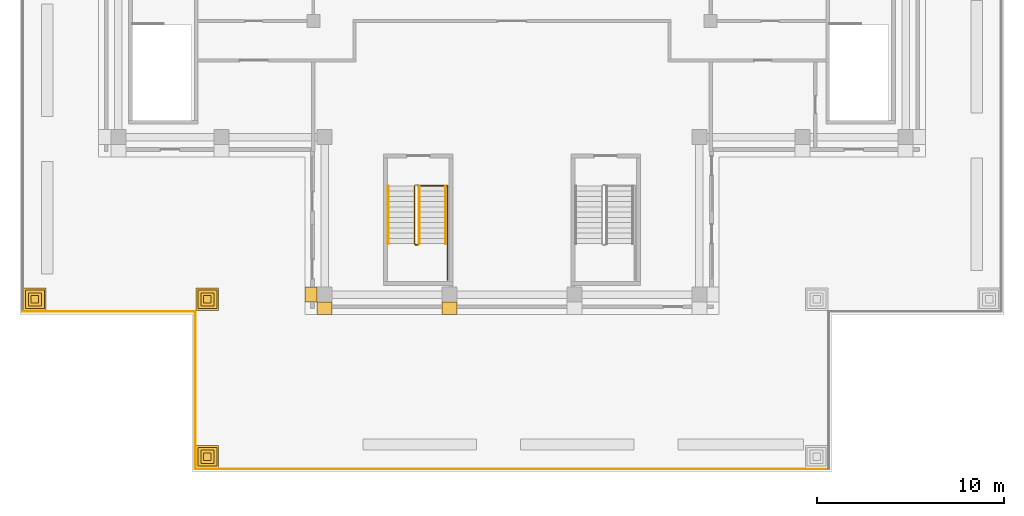
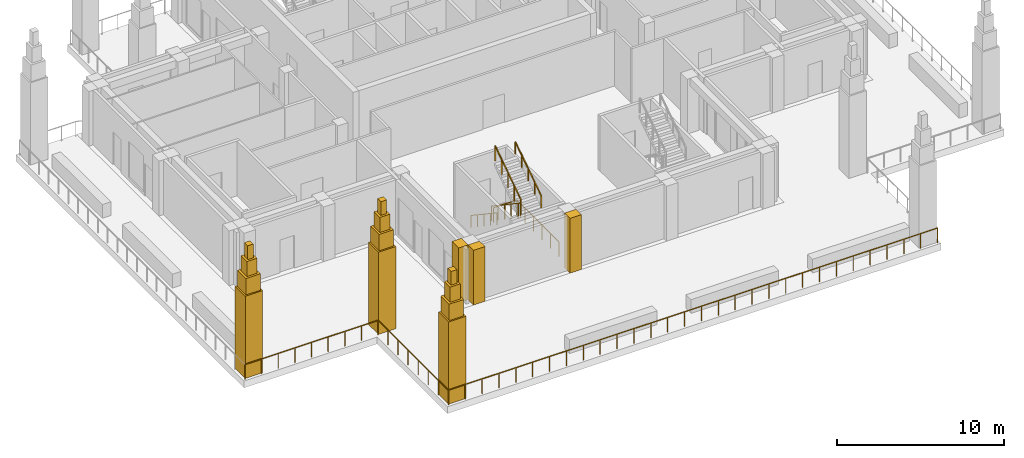
# One storey, part 6 of 10: 15 coverings, 8 railings.
"""IFC4 building model written with IfcOpenShell, lengths in metres."""

from ifc_helpers import new_model, si_unit, direction, frame, origin, origin_2d, place, context, subcontext, project, spatial, polyline, rectangle, outline, extrude, material, type_object, element, save


model = new_model("IFC4")

# Units and contexts
model_context = context("Model", 3, precision=1e-05, world=origin(), true_north=direction((0.0, 1.0)))
body_context = subcontext(model_context, "Body", "Model", "MODEL_VIEW")
ifc_project = project(units=[si_unit("LENGTHUNIT", "METRE"), si_unit("AREAUNIT", "SQUARE_METRE"), si_unit("VOLUMEUNIT", "CUBIC_METRE"), si_unit("PLANEANGLEUNIT", "RADIAN"), si_unit("MASSUNIT", "GRAM", prefix="KILO")], contexts=[model_context])

# Site, building, storey
site_placement = place(None, origin())
site = spatial("IfcSite", under=ifc_project, at=site_placement, CompositionType="ELEMENT")
building_placement = place(site_placement, origin())
building = spatial("IfcBuilding", under=site, at=building_placement, Name="Vermilion Ogive Tower", CompositionType="ELEMENT")
storey_placement = place(building_placement, frame((0.0, 0.0, 269.35009765625)))
storey = spatial("IfcBuildingStorey", under=building, at=storey_placement, Name="L71", CompositionType="ELEMENT", Elevation=269.35009765625)

# Railings
ifc_material_1 = material(Name="Steel S355 painted", Category="steel")
railing_type_1 = type_object("IfcRailingType", Name="Stair guard 1100", PredefinedType="GUARDRAIL", material=ifc_material_1)
railing_1_placement = place(storey_placement, frame((-5.199951171875, -6.800048828125, 0.1875)))
element("IfcRailing", 1, at=railing_1_placement, inside=storey, type_object=railing_type_1, Name="L71 ST7 stair guard 1", PredefinedType="GUARDRAIL", context=body_context, shape_type="SweptSolid", body=[
    extrude(rectangle(XDim=0.048095703125, YDim=0.048095703125, at=origin_2d()), frame((0.0, 0.0, 1.076171875), z_axis=(0.0, -0.830893310487, 0.556431762742), x_axis=(1.0, 0.0, 0.0)), (0.0, 0.0, 1.0), 3.70654296875),
    extrude(rectangle(XDim=0.048095703125, YDim=0.048095703125, at=origin_2d()), frame((0.0, -3.079833984375, 3.138671875), z_axis=(0.707106781187, -0.707106781187, 0.0), x_axis=(0.707106781187, 0.707106781187, 0.0)), (0.0, 0.0, 1.0), 0.07080078125),
    extrude(rectangle(XDim=0.048095703125, YDim=0.048095703125, at=origin_2d()), frame((0.050048828125, -3.1298828125, 3.138671875), z_axis=(1.0, 0.0, 0.0), x_axis=(0.0, 1.0, 0.0)), (0.0, 0.0, 1.0), 0.14990234375),
    extrude(rectangle(XDim=0.0419921875, YDim=0.0419921875, at=origin_2d()), origin(), (0.0, 0.0, 1.0), 1.052001953125),
    extrude(rectangle(XDim=0.0419921875, YDim=0.0419921875, at=origin_2d()), frame((0.0, -0.77001953125, 0.515625)), (0.0, 0.0, 1.0), 1.052001953125),
    extrude(rectangle(XDim=0.0419921875, YDim=0.0419921875, at=origin_2d()), frame((0.0, -1.5400390625, 1.03125)), (0.0, 0.0, 1.0), 1.052001953125),
    extrude(rectangle(XDim=0.0419921875, YDim=0.0419921875, at=origin_2d()), frame((0.0, -2.309814453125, 1.546875)), (0.0, 0.0, 1.0), 1.052001953125),
    extrude(rectangle(XDim=0.0419921875, YDim=0.0419921875, at=origin_2d()), frame((0.0, -3.079833984375, 2.0625)), (0.0, 0.0, 1.0), 1.052001953125),
    extrude(rectangle(XDim=0.0419921875, YDim=0.0419921875, at=origin_2d()), frame((0.050048828125, -3.1298828125, 2.0625)), (0.0, 0.0, 1.0), 1.052001953125),
    extrude(rectangle(XDim=0.0419921875, YDim=0.0419921875, at=origin_2d()), frame((0.199951171875, -3.1298828125, 2.0625)), (0.0, 0.0, 1.0), 1.052001953125),
])
railing_2_placement = place(storey_placement, frame((-4.949951171875, -9.8798828125, 2.4375)))
element("IfcRailing", 2, at=railing_2_placement, inside=storey, type_object=railing_type_1, Name="L71 ST7 stair guard 3", PredefinedType="GUARDRAIL", context=body_context, shape_type="SweptSolid", body=[
    extrude(rectangle(XDim=0.048095703125, YDim=0.048095703125, at=origin_2d()), frame((0.0, 0.0, 1.076171875), z_axis=(0.0, 0.830893310487, 0.556431762742), x_axis=(-1.0, 0.0, 0.0)), (0.0, 0.0, 1.0), 3.70654296875),
    extrude(rectangle(XDim=0.0419921875, YDim=0.0419921875, at=origin_2d()), origin(), (0.0, 0.0, 1.0), 1.052001953125),
    extrude(rectangle(XDim=0.0419921875, YDim=0.0419921875, at=origin_2d()), frame((0.0, 0.77001953125, 0.515625)), (0.0, 0.0, 1.0), 1.052001953125),
    extrude(rectangle(XDim=0.0419921875, YDim=0.0419921875, at=origin_2d()), frame((0.0, 1.5400390625, 1.03125)), (0.0, 0.0, 1.0), 1.052001953125),
    extrude(rectangle(XDim=0.0419921875, YDim=0.0419921875, at=origin_2d()), frame((0.0, 2.309814453125, 1.546875)), (0.0, 0.0, 1.0), 1.052001953125),
    extrude(rectangle(XDim=0.0419921875, YDim=0.0419921875, at=origin_2d()), frame((0.0, 3.079833984375, 2.0625)), (0.0, 0.0, 1.0), 1.052001953125),
])
railing_3_placement = place(storey_placement, frame((-5.042724609375, -6.7822265625, 0.0)))
element("IfcRailing", 3, at=railing_3_placement, inside=storey, type_object=railing_type_1, Name="L71 stair opening guard", PredefinedType="GUARDRAIL", context=body_context, shape_type="SweptSolid", body=[
    extrude(rectangle(XDim=0.048095703125, YDim=0.048095703125, at=origin_2d()), frame((0.0, 0.0, 1.076171875), z_axis=(1.0, 0.0, 0.0), x_axis=(0.0, 1.0, 0.0)), (0.0, 0.0, 1.0), 1.599365234375),
    extrude(rectangle(XDim=0.048095703125, YDim=0.048095703125, at=origin_2d()), frame((1.599365234375, 0.0, 1.076171875), z_axis=(0.0, -1.0, 0.0), x_axis=(1.0, 0.0, 0.0)), (0.0, 0.0, 1.0), 5.03955078125),
    extrude(rectangle(XDim=0.0419921875, YDim=0.0419921875, at=origin_2d()), origin(), (0.0, 0.0, 1.0), 1.052001953125),
    extrude(rectangle(XDim=0.0419921875, YDim=0.0419921875, at=origin_2d()), frame((0.7998046875, 0.0, 0.0)), (0.0, 0.0, 1.0), 1.052001953125),
    extrude(rectangle(XDim=0.0419921875, YDim=0.0419921875, at=origin_2d()), frame((1.599365234375, 0.0, 0.0)), (0.0, 0.0, 1.0), 1.052001953125),
    extrude(rectangle(XDim=0.0419921875, YDim=0.0419921875, at=origin_2d()), frame((1.599365234375, -1.0078125, 0.0)), (0.0, 0.0, 1.0), 1.052001953125),
    extrude(rectangle(XDim=0.0419921875, YDim=0.0419921875, at=origin_2d()), frame((1.599365234375, -2.015869140625, 0.0)), (0.0, 0.0, 1.0), 1.052001953125),
    extrude(rectangle(XDim=0.0419921875, YDim=0.0419921875, at=origin_2d()), frame((1.599365234375, -3.023681640625, 0.0)), (0.0, 0.0, 1.0), 1.052001953125),
    extrude(rectangle(XDim=0.0419921875, YDim=0.0419921875, at=origin_2d()), frame((1.599365234375, -4.03173828125, 0.0)), (0.0, 0.0, 1.0), 1.052001953125),
    extrude(rectangle(XDim=0.0419921875, YDim=0.0419921875, at=origin_2d()), frame((1.599365234375, -5.03955078125, 0.0)), (0.0, 0.0, 1.0), 1.052001953125),
])
ifc_material_2 = material(Name="Stainless steel", Category="steel")
railing_type_2 = type_object("IfcRailingType", Name="Stair handrail 900", PredefinedType="HANDRAIL", material=ifc_material_2)
railing_4_placement = place(storey_placement, frame((-6.60009765625, -6.800048828125, 0.1875)))
element("IfcRailing", 4, at=railing_4_placement, inside=storey, type_object=railing_type_2, Name="L71 ST7 stair handrail 1", PredefinedType="HANDRAIL", context=body_context, shape_type="SweptSolid", body=[
    extrude(rectangle(XDim=0.048095703125, YDim=0.048095703125, at=origin_2d()), frame((0.0, 0.0, 0.8759765625), z_axis=(0.0, -0.830893310487, 0.556431762742), x_axis=(1.0, 0.0, 0.0)), (0.0, 0.0, 1.0), 3.70654296875),
    extrude(rectangle(XDim=0.0419921875, YDim=0.0419921875, at=origin_2d()), origin(), (0.0, 0.0, 1.0), 0.851806640625),
    extrude(rectangle(XDim=0.0419921875, YDim=0.0419921875, at=origin_2d()), frame((0.0, -0.77001953125, 0.515625)), (0.0, 0.0, 1.0), 0.851806640625),
    extrude(rectangle(XDim=0.0419921875, YDim=0.0419921875, at=origin_2d()), frame((0.0, -1.5400390625, 1.03125)), (0.0, 0.0, 1.0), 0.851806640625),
    extrude(rectangle(XDim=0.0419921875, YDim=0.0419921875, at=origin_2d()), frame((0.0, -2.309814453125, 1.546875)), (0.0, 0.0, 1.0), 0.851806640625),
    extrude(rectangle(XDim=0.0419921875, YDim=0.0419921875, at=origin_2d()), frame((0.0, -3.079833984375, 2.0625)), (0.0, 0.0, 1.0), 0.851806640625),
])
railing_5_placement = place(storey_placement, frame((-3.550048828125, -9.8798828125, 2.4375)))
element("IfcRailing", 5, at=railing_5_placement, inside=storey, type_object=railing_type_2, Name="L71 ST7 stair handrail 2", PredefinedType="HANDRAIL", context=body_context, shape_type="SweptSolid", body=[
    extrude(rectangle(XDim=0.048095703125, YDim=0.048095703125, at=origin_2d()), frame((0.0, 0.0, 0.8759765625), z_axis=(0.0, 0.830893310487, 0.556431762742), x_axis=(-1.0, 0.0, 0.0)), (0.0, 0.0, 1.0), 3.70654296875),
    extrude(rectangle(XDim=0.0419921875, YDim=0.0419921875, at=origin_2d()), origin(), (0.0, 0.0, 1.0), 0.851806640625),
    extrude(rectangle(XDim=0.0419921875, YDim=0.0419921875, at=origin_2d()), frame((0.0, 0.77001953125, 0.515625)), (0.0, 0.0, 1.0), 0.851806640625),
    extrude(rectangle(XDim=0.0419921875, YDim=0.0419921875, at=origin_2d()), frame((0.0, 1.5400390625, 1.03125)), (0.0, 0.0, 1.0), 0.851806640625),
    extrude(rectangle(XDim=0.0419921875, YDim=0.0419921875, at=origin_2d()), frame((0.0, 2.309814453125, 1.546875)), (0.0, 0.0, 1.0), 0.851806640625),
    extrude(rectangle(XDim=0.0419921875, YDim=0.0419921875, at=origin_2d()), frame((0.0, 3.079833984375, 2.0625)), (0.0, 0.0, 1.0), 0.851806640625),
])

# Coverings
ifc_material_3 = material(Name="Stone cladding", Category="masonry")
covering_type_1 = type_object("IfcCoveringType", Name="Stone pier", PredefinedType="CLADDING", material=ifc_material_3)
covering_1_placement = place(storey_placement, origin())
element("IfcCovering", 6, at=covering_1_placement, inside=storey, type_object=covering_type_1, Name="Stone pier P-0033-126", PredefinedType="CLADDING", context=body_context, shape_type="SweptSolid", body=[
    extrude(outline(polyline([(-2.933349609375, -13.0), (-2.933349609375, -13.64990234375), (-3.7333984375, -13.64990234375), (-3.7333984375, -13.0), (-2.933349609375, -13.0), (-2.933349609375, -13.0)])), origin(), (0.0, 0.0, 1.0), 4.0),
])
covering_2_placement = place(storey_placement, origin())
element("IfcCovering", 7, at=covering_2_placement, inside=storey, type_object=covering_type_1, Name="Stone pier P-0100-126S", PredefinedType="CLADDING", context=body_context, shape_type="SweptSolid", body=[
    extrude(outline(polyline([(-9.60009765625, -13.64990234375), (-10.39990234375, -13.64990234375), (-10.39990234375, -13.0), (-9.60009765625, -13.0), (-9.60009765625, -13.64990234375)])), origin(), (0.0, 0.0, 1.0), 4.0),
])
covering_3_placement = place(storey_placement, origin())
element("IfcCovering", 8, at=covering_3_placement, inside=storey, type_object=covering_type_1, Name="Stone pier P-0100-126X8", PredefinedType="CLADDING", context=body_context, shape_type="SweptSolid", body=[
    extrude(outline(polyline([(-11.050048828125, -13.0), (-11.050048828125, -12.199951171875), (-10.39990234375, -12.199951171875), (-10.39990234375, -12.199951171875), (-10.39990234375, -13.0), (-11.050048828125, -13.0)])), origin(), (0.0, 0.0, 1.0), 4.0),
])
ifc_material_4 = material(Name="Stone cladding", Category="masonry")
covering_type_2 = type_object("IfcCoveringType", Name="Stone pinnacle", PredefinedType="CLADDING", material=ifc_material_4)
covering_4_placement = place(storey_placement, origin())
element("IfcCovering", 9, at=covering_4_placement, inside=storey, type_object=covering_type_2, Name="Stone pinnacle L711111A", PredefinedType="CLADDING", context=body_context, shape_type="SweptSolid", body=[
    extrude(outline(polyline([(-16.85009765625, -13.449951171875), (-15.64990234375, -13.449951171875), (-15.64990234375, -12.25), (-16.85009765625, -12.25), (-16.85009765625, -13.449951171875)])), origin(), (0.0, 0.0, 1.0), 6.0),
])
covering_5_placement = place(storey_placement, frame((0.0, 0.0, 6.0)))
element("IfcCovering", 10, at=covering_5_placement, inside=storey, type_object=covering_type_2, Name="Stone pinnacle L711111B", PredefinedType="CLADDING", context=body_context, shape_type="SweptSolid", body=[
    extrude(outline(polyline([(-16.75, -13.35009765625), (-15.75, -13.35009765625), (-15.75, -12.35009765625), (-16.75, -12.35009765625), (-16.75, -13.35009765625)])), origin(), (0.0, 0.0, 1.0), 1.199951171875),
])
covering_6_placement = place(storey_placement, frame((0.0, 0.0, 7.199951171875)))
element("IfcCovering", 11, at=covering_6_placement, inside=storey, type_object=covering_type_2, Name="Stone pinnacle L711111C", PredefinedType="CLADDING", context=body_context, shape_type="SweptSolid", body=[
    extrude(outline(polyline([(-16.60009765625, -13.199951171875), (-15.89990234375, -13.199951171875), (-15.89990234375, -12.5), (-16.60009765625, -12.5), (-16.60009765625, -13.199951171875)])), origin(), (0.0, 0.0, 1.0), 1.099853515625),
])
covering_7_placement = place(storey_placement, frame((0.0, 0.0, 8.2998046875)))
element("IfcCovering", 12, at=covering_7_placement, inside=storey, type_object=covering_type_2, Name="Stone pinnacle L711111D", PredefinedType="CLADDING", context=body_context, shape_type="SweptSolid", body=[
    extrude(outline(polyline([(-16.449951171875, -13.050048828125), (-16.050048828125, -13.050048828125), (-16.050048828125, -12.64990234375), (-16.449951171875, -12.64990234375), (-16.449951171875, -13.050048828125)])), origin(), (0.0, 0.0, 1.0), 1.0),
])
covering_8_placement = place(storey_placement, origin())
element("IfcCovering", 13, at=covering_8_placement, inside=storey, type_object=covering_type_2, Name="Stone pinnacle L711121A", PredefinedType="CLADDING", context=body_context, shape_type="SweptSolid", body=[
    extrude(outline(polyline([(-26.050048828125, -13.449951171875), (-24.85009765625, -13.449951171875), (-24.85009765625, -12.25), (-26.050048828125, -12.25), (-26.050048828125, -13.449951171875)])), origin(), (0.0, 0.0, 1.0), 6.0),
])
covering_9_placement = place(storey_placement, frame((0.0, 0.0, 6.0)))
element("IfcCovering", 14, at=covering_9_placement, inside=storey, type_object=covering_type_2, Name="Stone pinnacle L711121B", PredefinedType="CLADDING", context=body_context, shape_type="SweptSolid", body=[
    extrude(outline(polyline([(-25.949951171875, -13.35009765625), (-24.949951171875, -13.35009765625), (-24.949951171875, -12.35009765625), (-25.949951171875, -12.35009765625), (-25.949951171875, -13.35009765625)])), origin(), (0.0, 0.0, 1.0), 1.199951171875),
])
covering_10_placement = place(storey_placement, frame((0.0, 0.0, 7.199951171875)))
element("IfcCovering", 15, at=covering_10_placement, inside=storey, type_object=covering_type_2, Name="Stone pinnacle L711121C", PredefinedType="CLADDING", context=body_context, shape_type="SweptSolid", body=[
    extrude(outline(polyline([(-25.800048828125, -13.199951171875), (-25.10009765625, -13.199951171875), (-25.10009765625, -12.5), (-25.800048828125, -12.5), (-25.800048828125, -13.199951171875)])), origin(), (0.0, 0.0, 1.0), 1.099853515625),
])
covering_11_placement = place(storey_placement, frame((0.0, 0.0, 8.2998046875)))
element("IfcCovering", 16, at=covering_11_placement, inside=storey, type_object=covering_type_2, Name="Stone pinnacle L711121D", PredefinedType="CLADDING", context=body_context, shape_type="SweptSolid", body=[
    extrude(outline(polyline([(-25.64990234375, -13.050048828125), (-25.25, -13.050048828125), (-25.25, -12.64990234375), (-25.64990234375, -12.64990234375), (-25.64990234375, -13.050048828125)])), origin(), (0.0, 0.0, 1.0), 1.0),
])
covering_12_placement = place(storey_placement, origin())
element("IfcCovering", 17, at=covering_12_placement, inside=storey, type_object=covering_type_2, Name="Stone pinnacle L7111161A", PredefinedType="CLADDING", context=body_context, shape_type="SweptSolid", body=[
    extrude(outline(polyline([(-16.85009765625, -21.85009765625), (-15.64990234375, -21.85009765625), (-15.64990234375, -20.64990234375), (-16.85009765625, -20.64990234375), (-16.85009765625, -21.85009765625)])), origin(), (0.0, 0.0, 1.0), 6.0),
])
covering_13_placement = place(storey_placement, frame((0.0, 0.0, 6.0)))
element("IfcCovering", 18, at=covering_13_placement, inside=storey, type_object=covering_type_2, Name="Stone pinnacle L7111161B", PredefinedType="CLADDING", context=body_context, shape_type="SweptSolid", body=[
    extrude(outline(polyline([(-16.75, -21.75), (-15.75, -21.75), (-15.75, -20.75), (-16.75, -20.75), (-16.75, -21.75)])), origin(), (0.0, 0.0, 1.0), 1.199951171875),
])
covering_14_placement = place(storey_placement, frame((0.0, 0.0, 7.199951171875)))
element("IfcCovering", 19, at=covering_14_placement, inside=storey, type_object=covering_type_2, Name="Stone pinnacle L7111161C", PredefinedType="CLADDING", context=body_context, shape_type="SweptSolid", body=[
    extrude(outline(polyline([(-16.60009765625, -21.60009765625), (-15.89990234375, -21.60009765625), (-15.89990234375, -20.89990234375), (-16.60009765625, -20.89990234375), (-16.60009765625, -21.60009765625)])), origin(), (0.0, 0.0, 1.0), 1.099853515625),
])
covering_15_placement = place(storey_placement, frame((0.0, 0.0, 8.2998046875)))
element("IfcCovering", 20, at=covering_15_placement, inside=storey, type_object=covering_type_2, Name="Stone pinnacle L7111161D", PredefinedType="CLADDING", context=body_context, shape_type="SweptSolid", body=[
    extrude(outline(polyline([(-16.449951171875, -21.449951171875), (-16.050048828125, -21.449951171875), (-16.050048828125, -21.050048828125), (-16.449951171875, -21.050048828125), (-16.449951171875, -21.449951171875)])), origin(), (0.0, 0.0, 1.0), 1.0),
])

# Railings
ifc_material_5 = material(Name="Stainless steel and glass", Category="steel")
railing_type_3 = type_object("IfcRailingType", Name="Terrace guard", PredefinedType="GUARDRAIL", material=ifc_material_5)
railing_6_placement = place(storey_placement, frame((16.89990234375, -21.89990234375, 0.0)))
element("IfcRailing", 21, at=railing_6_placement, inside=storey, type_object=railing_type_3, Name="Terrace guard 1.1.6", PredefinedType="GUARDRAIL", context=body_context, shape_type="SweptSolid", body=[
    extrude(rectangle(XDim=0.048095703125, YDim=0.048095703125, at=origin_2d()), frame((0.0, 0.0, 1.076171875), z_axis=(-1.0, 0.0, 0.0), x_axis=(0.0, -1.0, 0.0)), (0.0, 0.0, 1.0), 33.7998046875),
    extrude(rectangle(XDim=0.0419921875, YDim=0.0419921875, at=origin_2d()), origin(), (0.0, 0.0, 1.0), 1.052001953125),
    extrude(rectangle(XDim=0.0419921875, YDim=0.0419921875, at=origin_2d()), frame((-1.16552734375, 0.0, 0.0)), (0.0, 0.0, 1.0), 1.052001953125),
    extrude(rectangle(XDim=0.0419921875, YDim=0.0419921875, at=origin_2d()), frame((-2.3310546875, 0.0, 0.0)), (0.0, 0.0, 1.0), 1.052001953125),
    extrude(rectangle(XDim=0.0419921875, YDim=0.0419921875, at=origin_2d()), frame((-3.49658203125, 0.0, 0.0)), (0.0, 0.0, 1.0), 1.052001953125),
    extrude(rectangle(XDim=0.0419921875, YDim=0.0419921875, at=origin_2d()), frame((-4.662109375, 0.0, 0.0)), (0.0, 0.0, 1.0), 1.052001953125),
    extrude(rectangle(XDim=0.0419921875, YDim=0.0419921875, at=origin_2d()), frame((-5.82763671875, 0.0, 0.0)), (0.0, 0.0, 1.0), 1.052001953125),
    extrude(rectangle(XDim=0.0419921875, YDim=0.0419921875, at=origin_2d()), frame((-6.9931640625, 0.0, 0.0)), (0.0, 0.0, 1.0), 1.052001953125),
    extrude(rectangle(XDim=0.0419921875, YDim=0.0419921875, at=origin_2d()), frame((-8.15869140625, 0.0, 0.0)), (0.0, 0.0, 1.0), 1.052001953125),
    extrude(rectangle(XDim=0.0419921875, YDim=0.0419921875, at=origin_2d()), frame((-9.323974609375, 0.0, 0.0)), (0.0, 0.0, 1.0), 1.052001953125),
    extrude(rectangle(XDim=0.0419921875, YDim=0.0419921875, at=origin_2d()), frame((-10.489501953125, 0.0, 0.0)), (0.0, 0.0, 1.0), 1.052001953125),
    extrude(rectangle(XDim=0.0419921875, YDim=0.0419921875, at=origin_2d()), frame((-11.655029296875, 0.0, 0.0)), (0.0, 0.0, 1.0), 1.052001953125),
    extrude(rectangle(XDim=0.0419921875, YDim=0.0419921875, at=origin_2d()), frame((-12.820556640625, 0.0, 0.0)), (0.0, 0.0, 1.0), 1.052001953125),
    extrude(rectangle(XDim=0.0419921875, YDim=0.0419921875, at=origin_2d()), frame((-13.986083984375, 0.0, 0.0)), (0.0, 0.0, 1.0), 1.052001953125),
    extrude(rectangle(XDim=0.0419921875, YDim=0.0419921875, at=origin_2d()), frame((-15.151611328125, 0.0, 0.0)), (0.0, 0.0, 1.0), 1.052001953125),
    extrude(rectangle(XDim=0.0419921875, YDim=0.0419921875, at=origin_2d()), frame((-16.317138671875, 0.0, 0.0)), (0.0, 0.0, 1.0), 1.052001953125),
    extrude(rectangle(XDim=0.0419921875, YDim=0.0419921875, at=origin_2d()), frame((-17.482666015625, 0.0, 0.0)), (0.0, 0.0, 1.0), 1.052001953125),
    extrude(rectangle(XDim=0.0419921875, YDim=0.0419921875, at=origin_2d()), frame((-18.648193359375, 0.0, 0.0)), (0.0, 0.0, 1.0), 1.052001953125),
    extrude(rectangle(XDim=0.0419921875, YDim=0.0419921875, at=origin_2d()), frame((-19.813720703125, 0.0, 0.0)), (0.0, 0.0, 1.0), 1.052001953125),
    extrude(rectangle(XDim=0.0419921875, YDim=0.0419921875, at=origin_2d()), frame((-20.979248046875, 0.0, 0.0)), (0.0, 0.0, 1.0), 1.052001953125),
    extrude(rectangle(XDim=0.0419921875, YDim=0.0419921875, at=origin_2d()), frame((-22.144775390625, 0.0, 0.0)), (0.0, 0.0, 1.0), 1.052001953125),
    extrude(rectangle(XDim=0.0419921875, YDim=0.0419921875, at=origin_2d()), frame((-23.310302734375, 0.0, 0.0)), (0.0, 0.0, 1.0), 1.052001953125),
    extrude(rectangle(XDim=0.0419921875, YDim=0.0419921875, at=origin_2d()), frame((-24.475830078125, 0.0, 0.0)), (0.0, 0.0, 1.0), 1.052001953125),
    extrude(rectangle(XDim=0.0419921875, YDim=0.0419921875, at=origin_2d()), frame((-25.64111328125, 0.0, 0.0)), (0.0, 0.0, 1.0), 1.052001953125),
    extrude(rectangle(XDim=0.0419921875, YDim=0.0419921875, at=origin_2d()), frame((-26.806640625, 0.0, 0.0)), (0.0, 0.0, 1.0), 1.052001953125),
    extrude(rectangle(XDim=0.0419921875, YDim=0.0419921875, at=origin_2d()), frame((-27.97216796875, 0.0, 0.0)), (0.0, 0.0, 1.0), 1.052001953125),
    extrude(rectangle(XDim=0.0419921875, YDim=0.0419921875, at=origin_2d()), frame((-29.1376953125, 0.0, 0.0)), (0.0, 0.0, 1.0), 1.052001953125),
    extrude(rectangle(XDim=0.0419921875, YDim=0.0419921875, at=origin_2d()), frame((-30.30322265625, 0.0, 0.0)), (0.0, 0.0, 1.0), 1.052001953125),
    extrude(rectangle(XDim=0.0419921875, YDim=0.0419921875, at=origin_2d()), frame((-31.46875, 0.0, 0.0)), (0.0, 0.0, 1.0), 1.052001953125),
    extrude(rectangle(XDim=0.0419921875, YDim=0.0419921875, at=origin_2d()), frame((-32.63427734375, 0.0, 0.0)), (0.0, 0.0, 1.0), 1.052001953125),
    extrude(rectangle(XDim=0.0419921875, YDim=0.0419921875, at=origin_2d()), frame((-33.7998046875, 0.0, 0.0)), (0.0, 0.0, 1.0), 1.052001953125),
])
railing_7_placement = place(storey_placement, frame((-16.89990234375, -21.89990234375, 0.0)))
element("IfcRailing", 22, at=railing_7_placement, inside=storey, type_object=railing_type_3, Name="Terrace guard 1.1.7", PredefinedType="GUARDRAIL", context=body_context, shape_type="SweptSolid", body=[
    extrude(rectangle(XDim=0.048095703125, YDim=0.048095703125, at=origin_2d()), frame((0.0, 0.0, 1.076171875), z_axis=(0.0, 1.0, 0.0), x_axis=(-1.0, 0.0, 0.0)), (0.0, 0.0, 1.0), 8.39990234375),
    extrude(rectangle(XDim=0.0419921875, YDim=0.0419921875, at=origin_2d()), origin(), (0.0, 0.0, 1.0), 1.052001953125),
    extrude(rectangle(XDim=0.0419921875, YDim=0.0419921875, at=origin_2d()), frame((0.0, 1.199951171875, 0.0)), (0.0, 0.0, 1.0), 1.052001953125),
    extrude(rectangle(XDim=0.0419921875, YDim=0.0419921875, at=origin_2d()), frame((0.0, 2.39990234375, 0.0)), (0.0, 0.0, 1.0), 1.052001953125),
    extrude(rectangle(XDim=0.0419921875, YDim=0.0419921875, at=origin_2d()), frame((0.0, 3.599853515625, 0.0)), (0.0, 0.0, 1.0), 1.052001953125),
    extrude(rectangle(XDim=0.0419921875, YDim=0.0419921875, at=origin_2d()), frame((0.0, 4.800048828125, 0.0)), (0.0, 0.0, 1.0), 1.052001953125),
    extrude(rectangle(XDim=0.0419921875, YDim=0.0419921875, at=origin_2d()), frame((0.0, 6.0, 0.0)), (0.0, 0.0, 1.0), 1.052001953125),
    extrude(rectangle(XDim=0.0419921875, YDim=0.0419921875, at=origin_2d()), frame((0.0, 7.199951171875, 0.0)), (0.0, 0.0, 1.0), 1.052001953125),
    extrude(rectangle(XDim=0.0419921875, YDim=0.0419921875, at=origin_2d()), frame((0.0, 8.39990234375, 0.0)), (0.0, 0.0, 1.0), 1.052001953125),
])
railing_8_placement = place(storey_placement, frame((-16.89990234375, -13.5, 0.0)))
element("IfcRailing", 23, at=railing_8_placement, inside=storey, type_object=railing_type_3, Name="Terrace guard 1.1.8", PredefinedType="GUARDRAIL", context=body_context, shape_type="SweptSolid", body=[
    extrude(rectangle(XDim=0.048095703125, YDim=0.048095703125, at=origin_2d()), frame((0.0, 0.0, 1.076171875), z_axis=(-1.0, 0.0, 0.0), x_axis=(0.0, -1.0, 0.0)), (0.0, 0.0, 1.0), 9.2001953125),
    extrude(rectangle(XDim=0.0419921875, YDim=0.0419921875, at=origin_2d()), origin(), (0.0, 0.0, 1.0), 1.052001953125),
    extrude(rectangle(XDim=0.0419921875, YDim=0.0419921875, at=origin_2d()), frame((-1.14990234375, 0.0, 0.0)), (0.0, 0.0, 1.0), 1.052001953125),
    extrude(rectangle(XDim=0.0419921875, YDim=0.0419921875, at=origin_2d()), frame((-2.300048828125, 0.0, 0.0)), (0.0, 0.0, 1.0), 1.052001953125),
    extrude(rectangle(XDim=0.0419921875, YDim=0.0419921875, at=origin_2d()), frame((-3.4501953125, 0.0, 0.0)), (0.0, 0.0, 1.0), 1.052001953125),
    extrude(rectangle(XDim=0.0419921875, YDim=0.0419921875, at=origin_2d()), frame((-4.60009765625, 0.0, 0.0)), (0.0, 0.0, 1.0), 1.052001953125),
    extrude(rectangle(XDim=0.0419921875, YDim=0.0419921875, at=origin_2d()), frame((-5.75, 0.0, 0.0)), (0.0, 0.0, 1.0), 1.052001953125),
    extrude(rectangle(XDim=0.0419921875, YDim=0.0419921875, at=origin_2d()), frame((-6.900146484375, 0.0, 0.0)), (0.0, 0.0, 1.0), 1.052001953125),
    extrude(rectangle(XDim=0.0419921875, YDim=0.0419921875, at=origin_2d()), frame((-8.05029296875, 0.0, 0.0)), (0.0, 0.0, 1.0), 1.052001953125),
    extrude(rectangle(XDim=0.0419921875, YDim=0.0419921875, at=origin_2d()), frame((-9.2001953125, 0.0, 0.0)), (0.0, 0.0, 1.0), 1.052001953125),
])

save(model, "model.ifc")
